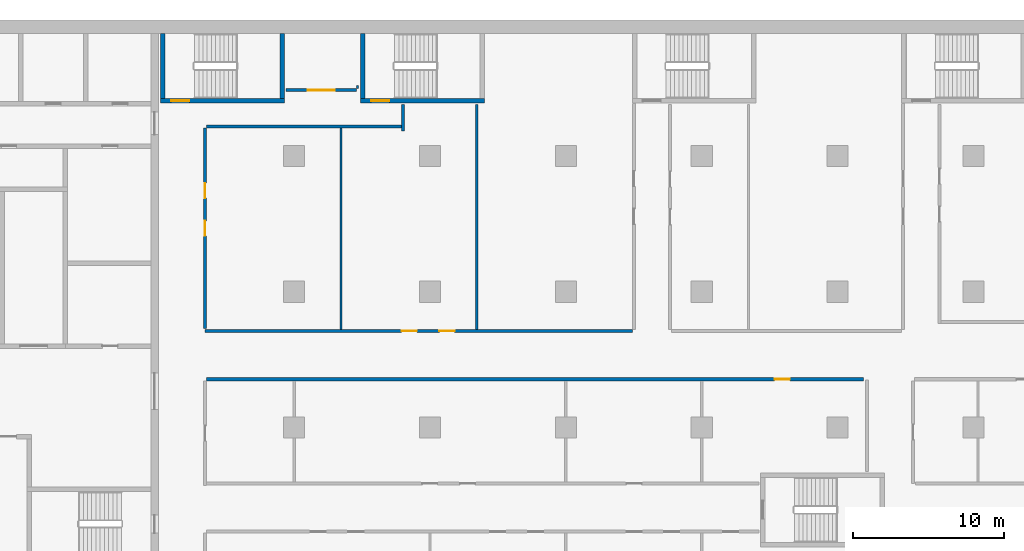
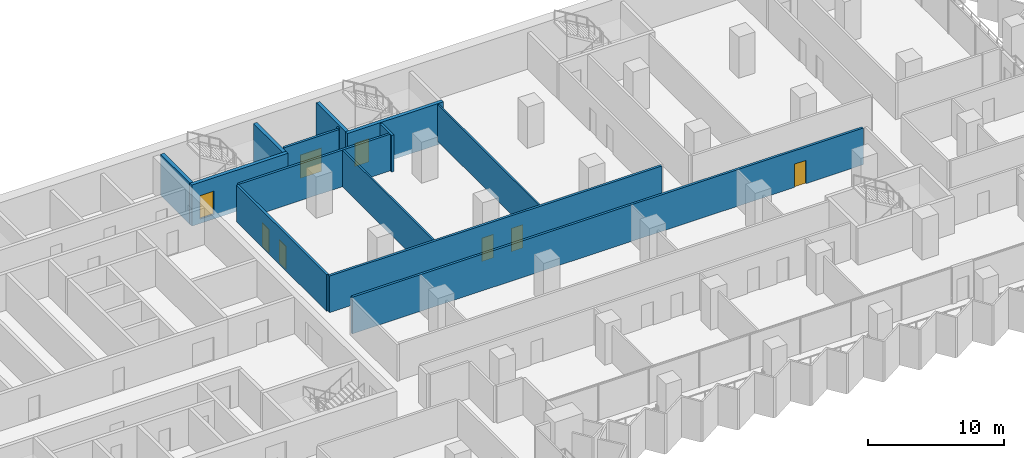
# One storey, part 16 of 28: 14 walls, 8 doors, 8 openings.
"""IFC4 building model written with IfcOpenShell, lengths in metres."""

from ifc_helpers import new_model, si_unit, direction, frame, frame_2d, origin, place, context, subcontext, project, spatial, rectangle, extrude, material, layer, layer_set, type_object, element, fill, save


model = new_model("IFC4")

# Units and contexts
model_context = context("Model", 3, precision=1e-05, world=origin(), true_north=direction((0.0, 1.0)))
body_context = subcontext(model_context, "Body", "Model", "MODEL_VIEW")
ifc_project = project(units=[si_unit("LENGTHUNIT", "METRE"), si_unit("AREAUNIT", "SQUARE_METRE"), si_unit("VOLUMEUNIT", "CUBIC_METRE"), si_unit("PLANEANGLEUNIT", "RADIAN"), si_unit("MASSUNIT", "GRAM", prefix="KILO")], contexts=[model_context])

# Site, building, storey
site_placement = place(None, origin())
site = spatial("IfcSite", under=ifc_project, at=site_placement, CompositionType="ELEMENT")
building_placement = place(site_placement, origin())
building = spatial("IfcBuilding", under=site, at=building_placement, Name="Hunhe Ridgeline Campus", CompositionType="ELEMENT")
storey_placement = place(building_placement, frame((0.0, 0.0, 72.800048828125)))
storey = spatial("IfcBuildingStorey", under=building, at=storey_placement, Name="L17", CompositionType="ELEMENT", Elevation=72.800048828125)

# Wall, opening, door
ifc_material_1 = material(Name="Gypsum board partition")
ifc_layer_1 = layer(ifc_material_1, 0.199951171875)
ifc_layer_set_1 = layer_set([ifc_layer_1], Name="Corridor partition 200 gypsum board on steel studs")
wall_type_1 = type_object("IfcWallType", Name="Corridor partition 200 gypsum board on steel studs", PredefinedType="PARTITIONING", material=ifc_layer_set_1)
wall_1_placement = place(storey_placement, frame((82.713134765625, 75.199951171875, 0.0), z_axis=(0.0, 0.0, 1.0), x_axis=(-1.0, 0.0, 0.0)))
wall_1 = element("IfcWall", 1, at=wall_1_placement, inside=storey, type_object=wall_type_1, Name="F-L17-wall-037", PredefinedType="PARTITIONING", context=body_context, shape_type="SweptSolid", body=[
    extrude(rectangle(XDim=43.51318359375, YDim=0.199951171875, at=frame_2d((21.756591796875, 0.0))), origin(), (0.0, 0.0, 1.0), 3.300048828125),
])
opening_1_placement = place(wall_1_placement, frame((4.876708984375, 0.0, 0.0)))
opening_1 = element("IfcOpeningElement", 2, at=opening_1_placement, cuts=wall_1, Name="Opening RD1-034", PredefinedType="OPENING", context=body_context, shape_type="SweptSolid", body=[
    extrude(rectangle(XDim=1.0, YDim=2.10009765625, at=frame_2d((0.5, 1.050048828125))), frame((0.0, 0.10009765625, 0.0), z_axis=(0.0, -1.0, 0.0), x_axis=(1.0, 0.0, 0.0)), (0.0, 0.0, 1.0), 0.199951171875),
])
ifc_material_2 = material(Name="Timber door leaf", Category="wood")
door_type_1 = type_object("IfcDoorType", Name="Single fire door 1000x2100 timber FD60", OperationType="NOTDEFINED", PredefinedType="DOOR", material=ifc_material_2)
door_1_placement = place(opening_1_placement, origin())
door_1 = element("IfcDoor", 3, at=door_1_placement, inside=storey, type_object=door_type_1, Name="F-L17-door-034", OperationType="SINGLE_SWING_LEFT", OverallHeight=2.10009765625, OverallWidth=1.0, PredefinedType="DOOR", context=body_context, shape_type="SweptSolid", body=[
    extrude(rectangle(XDim=1.0, YDim=2.10009765625, at=frame_2d((0.5, 1.050048828125))), frame((0.0, 0.02490234375, 0.0), z_axis=(0.0, -1.0, 0.0), x_axis=(1.0, 0.0, 0.0)), (0.0, 0.0, 1.0), 0.050048828125),
])
fill(opening_1, door_1)

# Wall, openings, doors
wall_2_placement = place(storey_placement, frame((39.10009765625, 78.39990234375, 0.0), z_axis=(0.0, 0.0, 1.0), x_axis=(1.0, 0.0, 0.0)))
wall_2 = element("IfcWall", 4, at=wall_2_placement, inside=storey, type_object=wall_type_1, Name="F-L17-wall-039", PredefinedType="PARTITIONING", context=body_context, shape_type="SweptSolid", body=[
    extrude(rectangle(XDim=28.2998046875, YDim=0.199951171875, at=frame_2d((14.14990234375, 0.0))), origin(), (0.0, 0.0, 1.0), 3.300048828125),
])
opening_2_placement = place(wall_2_placement, frame((13.02392578125, 0.0, 0.0)))
opening_2 = element("IfcOpeningElement", 5, at=opening_2_placement, cuts=wall_2, Name="Opening RD1-036", PredefinedType="OPENING", context=body_context, shape_type="SweptSolid", body=[
    extrude(rectangle(XDim=1.0, YDim=2.10009765625, at=frame_2d((0.5, 1.050048828125))), frame((0.0, 0.10009765625, 0.0), z_axis=(0.0, -1.0, 0.0), x_axis=(1.0, 0.0, 0.0)), (0.0, 0.0, 1.0), 0.199951171875),
])
opening_3_placement = place(wall_2_placement, frame((15.52392578125, 0.0, 0.0)))
opening_3 = element("IfcOpeningElement", 6, at=opening_3_placement, cuts=wall_2, Name="Opening RD1-037", PredefinedType="OPENING", context=body_context, shape_type="SweptSolid", body=[
    extrude(rectangle(XDim=1.0, YDim=2.10009765625, at=frame_2d((0.5, 1.050048828125))), frame((0.0, 0.10009765625, 0.0), z_axis=(0.0, -1.0, 0.0), x_axis=(1.0, 0.0, 0.0)), (0.0, 0.0, 1.0), 0.199951171875),
])
door_2_placement = place(opening_2_placement, frame((1.0, 0.0, 0.0), z_axis=(0.0, 0.0, 1.0), x_axis=(-1.0, 0.0, 0.0)))
door_2 = element("IfcDoor", 7, at=door_2_placement, inside=storey, type_object=door_type_1, Name="F-L17-door-036", OperationType="SINGLE_SWING_LEFT", OverallHeight=2.10009765625, OverallWidth=1.0, PredefinedType="DOOR", context=body_context, shape_type="SweptSolid", body=[
    extrude(rectangle(XDim=1.0, YDim=2.10009765625, at=frame_2d((0.5, 1.050048828125))), frame((0.0, 0.02490234375, 0.0), z_axis=(0.0, -1.0, 0.0), x_axis=(1.0, 0.0, 0.0)), (0.0, 0.0, 1.0), 0.050048828125),
])
fill(opening_2, door_2)
door_3_placement = place(opening_3_placement, frame((1.0, 0.0, 0.0), z_axis=(0.0, 0.0, 1.0), x_axis=(-1.0, 0.0, 0.0)))
door_3 = element("IfcDoor", 8, at=door_3_placement, inside=storey, type_object=door_type_1, Name="F-L17-door-037", OperationType="SINGLE_SWING_LEFT", OverallHeight=2.10009765625, OverallWidth=1.0, PredefinedType="DOOR", context=body_context, shape_type="SweptSolid", body=[
    extrude(rectangle(XDim=1.0, YDim=2.10009765625, at=frame_2d((0.5, 1.050048828125))), frame((0.0, 0.02490234375, 0.0), z_axis=(0.0, -1.0, 0.0), x_axis=(1.0, 0.0, 0.0)), (0.0, 0.0, 1.0), 0.050048828125),
])
fill(opening_3, door_3)

# Wall
wall_3_placement = place(storey_placement, frame((52.10009765625, 91.949951171875, 0.0), z_axis=(0.0, 0.0, 1.0), x_axis=(-1.0, 0.0, 0.0)))
element("IfcWall", 9, at=wall_3_placement, inside=storey, type_object=wall_type_1, Name="F-L17-wall-043", PredefinedType="PARTITIONING", context=body_context, shape_type="SweptSolid", body=[
    extrude(rectangle(XDim=12.900146484375, YDim=0.199951171875, at=frame_2d((6.4501953125, 0.0))), origin(), (0.0, 0.0, 1.0), 3.300048828125),
])

# Wall, opening, door
wall_4_placement = place(storey_placement, frame((44.4541015625, 94.35009765625, 0.0), z_axis=(0.0, 0.0, 1.0), x_axis=(1.0, 0.0, 0.0)))
wall_4 = element("IfcWall", 10, at=wall_4_placement, inside=storey, type_object=wall_type_1, Name="F-L17-wall-044", PredefinedType="PARTITIONING", context=body_context, shape_type="SweptSolid", body=[
    extrude(rectangle(XDim=4.6708984375, YDim=0.199951171875, at=frame_2d((2.33544921875, 0.0))), origin(), (0.0, 0.0, 1.0), 3.300048828125),
])
opening_4_placement = place(wall_4_placement, frame((1.435546875, 0.0, 0.0)))
opening_4 = element("IfcOpeningElement", 11, at=opening_4_placement, cuts=wall_4, Name="Opening RD2-048", PredefinedType="OPENING", context=body_context, shape_type="SweptSolid", body=[
    extrude(rectangle(XDim=1.800048828125, YDim=2.10009765625, at=frame_2d((0.89990234375, 1.050048828125))), frame((0.0, 0.10009765625, 0.0), z_axis=(0.0, -1.0, 0.0), x_axis=(1.0, 0.0, 0.0)), (0.0, 0.0, 1.0), 0.199951171875),
])
door_type_2 = type_object("IfcDoorType", Name="Double fire door 1800x2100 timber FD60", OperationType="DOUBLE_DOOR_SINGLE_SWING", PredefinedType="DOOR", material=ifc_material_2)
door_4_placement = place(opening_4_placement, origin())
door_4 = element("IfcDoor", 12, at=door_4_placement, inside=storey, type_object=door_type_2, Name="F-L17-door-048", OperationType="DOUBLE_DOOR_SINGLE_SWING", OverallHeight=2.10009765625, OverallWidth=1.800048828125, PredefinedType="DOOR", context=body_context, shape_type="SweptSolid", body=[
    extrude(rectangle(XDim=1.800048828125, YDim=2.10009765625, at=frame_2d((0.89990234375, 1.050048828125))), frame((0.0, 0.02490234375, 0.0), z_axis=(0.0, -1.0, 0.0), x_axis=(1.0, 0.0, 0.0)), (0.0, 0.0, 1.0), 0.050048828125),
])
fill(opening_4, door_4)

# Wall, openings, doors
wall_5_placement = place(storey_placement, frame((39.10009765625, 91.85009765625, 0.0), z_axis=(0.0, 0.0, 1.0), x_axis=(0.0, -1.0, 0.0)))
wall_5 = element("IfcWall", 13, at=wall_5_placement, inside=storey, type_object=wall_type_1, Name="F-L17-wall-062", PredefinedType="PARTITIONING", context=body_context, shape_type="SweptSolid", body=[
    extrude(rectangle(XDim=13.302001953125, YDim=0.199951171875, at=frame_2d((6.65087890625, 0.0))), origin(), (0.0, 0.0, 1.0), 3.300048828125),
])
opening_5_placement = place(wall_5_placement, frame((6.15087890625, 0.0, 0.0)))
opening_5 = element("IfcOpeningElement", 14, at=opening_5_placement, cuts=wall_5, Name="Opening RD1-038", PredefinedType="OPENING", context=body_context, shape_type="SweptSolid", body=[
    extrude(rectangle(XDim=1.0, YDim=2.10009765625, at=frame_2d((0.5, 1.050048828125))), frame((0.0, 0.10009765625, 0.0), z_axis=(0.0, -1.0, 0.0), x_axis=(1.0, 0.0, 0.0)), (0.0, 0.0, 1.0), 0.199951171875),
])
opening_6_placement = place(wall_5_placement, frame((3.65087890625, 0.0, 0.0)))
opening_6 = element("IfcOpeningElement", 15, at=opening_6_placement, cuts=wall_5, Name="Opening RD1-043", PredefinedType="OPENING", context=body_context, shape_type="SweptSolid", body=[
    extrude(rectangle(XDim=1.0, YDim=2.10009765625, at=frame_2d((0.5, 1.050048828125))), frame((0.0, 0.10009765625, 0.0), z_axis=(0.0, -1.0, 0.0), x_axis=(1.0, 0.0, 0.0)), (0.0, 0.0, 1.0), 0.199951171875),
])
door_5_placement = place(opening_5_placement, frame((1.0, 0.0, 0.0), z_axis=(0.0, 0.0, 1.0), x_axis=(-1.0, 0.0, 0.0)))
door_5 = element("IfcDoor", 16, at=door_5_placement, inside=storey, type_object=door_type_1, Name="F-L17-door-038", OperationType="SINGLE_SWING_RIGHT", OverallHeight=2.10009765625, OverallWidth=1.0, PredefinedType="DOOR", context=body_context, shape_type="SweptSolid", body=[
    extrude(rectangle(XDim=1.0, YDim=2.10009765625, at=frame_2d((0.5, 1.050048828125))), frame((0.0, 0.02490234375, 0.0), z_axis=(0.0, -1.0, 0.0), x_axis=(1.0, 0.0, 0.0)), (0.0, 0.0, 1.0), 0.050048828125),
])
fill(opening_5, door_5)
door_6_placement = place(opening_6_placement, frame((1.0, 0.0, 0.0), z_axis=(0.0, 0.0, 1.0), x_axis=(-1.0, 0.0, 0.0)))
door_6 = element("IfcDoor", 17, at=door_6_placement, inside=storey, type_object=door_type_1, Name="F-L17-door-043", OperationType="SINGLE_SWING_RIGHT", OverallHeight=2.10009765625, OverallWidth=1.0, PredefinedType="DOOR", context=body_context, shape_type="SweptSolid", body=[
    extrude(rectangle(XDim=1.0, YDim=2.10009765625, at=frame_2d((0.5, 1.050048828125))), frame((0.0, 0.02490234375, 0.0), z_axis=(0.0, -1.0, 0.0), x_axis=(1.0, 0.0, 0.0)), (0.0, 0.0, 1.0), 0.050048828125),
])
fill(opening_6, door_6)

# Walls
wall_6_placement = place(storey_placement, frame((52.199951171875, 93.39599609375, 0.0), z_axis=(0.0, 0.0, 1.0), x_axis=(0.0, -1.0, 0.0)))
element("IfcWall", 18, at=wall_6_placement, inside=storey, type_object=wall_type_1, Name="F-L17-wall-070", PredefinedType="PARTITIONING", context=body_context, shape_type="SweptSolid", body=[
    extrude(rectangle(XDim=1.74609375, YDim=0.199951171875, at=frame_2d((0.873046875, 0.0))), origin(), (0.0, 0.0, 1.0), 3.300048828125),
])
ifc_layer_2 = layer(ifc_material_1, 0.14990234375)
ifc_layer_set_2 = layer_set([ifc_layer_2], Name="Room partition 150 gypsum board on steel studs")
wall_type_2 = type_object("IfcWallType", Name="Room partition 150 gypsum board on steel studs", PredefinedType="PARTITIONING", material=ifc_layer_set_2)
wall_7_placement = place(storey_placement, frame((48.10009765625, 91.85009765625, 0.0), z_axis=(0.0, 0.0, 1.0), x_axis=(0.0, -1.0, 0.0)))
element("IfcWall", 19, at=wall_7_placement, inside=storey, type_object=wall_type_2, Name="F-L17-wall-068", PredefinedType="PARTITIONING", context=body_context, shape_type="SweptSolid", body=[
    extrude(rectangle(XDim=13.35009765625, YDim=0.14990234375, at=frame_2d((6.675048828125, 0.0))), origin(), (0.0, 0.0, 1.0), 3.300048828125),
])
wall_8_placement = place(storey_placement, frame((49.199951171875, 94.64990234375, 0.0), z_axis=(0.0, 0.0, 1.0), x_axis=(0.0, -1.0, 0.0)))
element("IfcWall", 20, at=wall_8_placement, inside=storey, type_object=wall_type_2, Name="F-L17-wall-069", PredefinedType="PARTITIONING", context=body_context, shape_type="SweptSolid", body=[
    extrude(rectangle(XDim=0.199951171875, YDim=0.14990234375, at=frame_2d((0.10009765625, 0.0))), origin(), (0.0, 0.0, 1.0), 3.300048828125),
])
wall_9_placement = place(storey_placement, frame((57.10009765625, 93.39599609375, 0.0), z_axis=(0.0, 0.0, 1.0), x_axis=(0.0, -1.0, 0.0)))
element("IfcWall", 21, at=wall_9_placement, inside=storey, type_object=wall_type_2, Name="F-L17-wall-073", PredefinedType="PARTITIONING", context=body_context, shape_type="SweptSolid", body=[
    extrude(rectangle(XDim=14.89599609375, YDim=0.14990234375, at=frame_2d((7.447998046875, 0.0))), origin(), (0.0, 0.0, 1.0), 3.300048828125),
])

# Wall, opening, door
ifc_material_3 = material(Name="Concrete C80", Category="concrete")
ifc_layer_3 = layer(ifc_material_3, 0.300048828125)
ifc_layer_set_3 = layer_set([ifc_layer_3], Name="Stair wall 300 reinforced concrete C80")
wall_type_3 = type_object("IfcWallType", Name="Stair wall 300 reinforced concrete C80", PredefinedType="SOLIDWALL", material=ifc_layer_set_3)
wall_10_placement = place(storey_placement, frame((36.14990234375, 93.64990234375, -0.400146484375), z_axis=(0.0, 0.0, 1.0), x_axis=(1.0, 0.0, 0.0)))
wall_10 = element("IfcWall", 22, at=wall_10_placement, inside=storey, type_object=wall_type_3, Name="L17 core wall 30", PredefinedType="SOLIDWALL", context=body_context, shape_type="SweptSolid", body=[
    extrude(rectangle(XDim=8.2001953125, YDim=0.300048828125, at=frame_2d((4.10009765625, 0.0))), origin(), (0.0, 0.0, 1.0), 3.7001953125),
])
opening_7_placement = place(wall_10_placement, frame((0.699951171875, 0.0, 0.39990234375)))
opening_7 = element("IfcOpeningElement", 23, at=opening_7_placement, cuts=wall_10, Name="Opening CD17", PredefinedType="OPENING", context=body_context, shape_type="SweptSolid", body=[
    extrude(rectangle(XDim=1.199951171875, YDim=2.10009765625, at=frame_2d((0.60009765625, 1.050048828125))), frame((0.0, 0.14990234375, 0.0), z_axis=(0.0, -1.0, 0.0), x_axis=(1.0, 0.0, 0.0)), (0.0, 0.0, 1.0), 0.300048828125),
])
ifc_material_4 = material(Name="Hollow metal fire door leaf")
door_type_3 = type_object("IfcDoorType", Name="Stair door 1200x2100 FD60", OperationType="SINGLE_SWING_LEFT", PredefinedType="DOOR", material=ifc_material_4)
door_7_placement = place(opening_7_placement, frame((1.199951171875, 0.0, 0.0), z_axis=(0.0, 0.0, 1.0), x_axis=(-1.0, 0.0, 0.0)))
door_7 = element("IfcDoor", 24, at=door_7_placement, inside=storey, type_object=door_type_3, Name="L17 door E1", OperationType="SINGLE_SWING_RIGHT", OverallHeight=2.10009765625, OverallWidth=1.199951171875, PredefinedType="DOOR", context=body_context, shape_type="SweptSolid", body=[
    extrude(rectangle(XDim=1.199951171875, YDim=2.10009765625, at=frame_2d((0.60009765625, 1.050048828125))), frame((0.0, 0.02490234375, 0.0), z_axis=(0.0, -1.0, 0.0), x_axis=(1.0, 0.0, 0.0)), (0.0, 0.0, 1.0), 0.050048828125),
])
fill(opening_7, door_7)

wall_11_placement = place(storey_placement, frame((49.39990234375, 93.64990234375, -0.400146484375), z_axis=(0.0, 0.0, 1.0), x_axis=(1.0, 0.0, 0.0)))
wall_11 = element("IfcWall", 25, at=wall_11_placement, inside=storey, type_object=wall_type_3, Name="L17 core wall 31", PredefinedType="SOLIDWALL", context=body_context, shape_type="SweptSolid", body=[
    extrude(rectangle(XDim=8.2001953125, YDim=0.300048828125, at=frame_2d((4.10009765625, 0.0))), origin(), (0.0, 0.0, 1.0), 3.7001953125),
])
opening_8_placement = place(wall_11_placement, frame((0.699951171875, 0.0, 0.39990234375)))
opening_8 = element("IfcOpeningElement", 26, at=opening_8_placement, cuts=wall_11, Name="Opening CD18", PredefinedType="OPENING", context=body_context, shape_type="SweptSolid", body=[
    extrude(rectangle(XDim=1.199951171875, YDim=2.10009765625, at=frame_2d((0.60009765625, 1.050048828125))), frame((0.0, 0.14990234375, 0.0), z_axis=(0.0, -1.0, 0.0), x_axis=(1.0, 0.0, 0.0)), (0.0, 0.0, 1.0), 0.300048828125),
])
door_8_placement = place(opening_8_placement, frame((1.199951171875, 0.0, 0.0), z_axis=(0.0, 0.0, 1.0), x_axis=(-1.0, 0.0, 0.0)))
door_8 = element("IfcDoor", 27, at=door_8_placement, inside=storey, type_object=door_type_3, Name="L17 door E2", OperationType="SINGLE_SWING_LEFT", OverallHeight=2.10009765625, OverallWidth=1.199951171875, PredefinedType="DOOR", context=body_context, shape_type="SweptSolid", body=[
    extrude(rectangle(XDim=1.199951171875, YDim=2.10009765625, at=frame_2d((0.60009765625, 1.050048828125))), frame((0.0, 0.02490234375, 0.0), z_axis=(0.0, -1.0, 0.0), x_axis=(1.0, 0.0, 0.0)), (0.0, 0.0, 1.0), 0.050048828125),
])
fill(opening_8, door_8)

# Walls
for number, where, z_axis, x_axis, name in (
    (28, (36.300048828125, 93.800048828125, -0.400146484375), (0.0, 0.0, 1.0), (0.0, 1.0, 0.0), "L17 core wall 65"),
    (29, (44.199951171875, 93.800048828125, -0.400146484375), (0.0, 0.0, 1.0), (0.0, 1.0, 0.0), "L17 core wall 66"),
    (30, (49.550048828125, 93.800048828125, -0.400146484375), (0.0, 0.0, 1.0), (0.0, 1.0, 0.0), "L17 core wall 67"),
):
    element("IfcWall", number, at=place(storey_placement, frame(where, z_axis=z_axis, x_axis=x_axis)), inside=storey, type_object=wall_type_3, Name=name, PredefinedType="SOLIDWALL", context=body_context, shape_type="SweptSolid", body=[
        extrude(rectangle(XDim=4.300048828125, YDim=0.300048828125, at=frame_2d((2.14990234375, 0.0))), origin(), (0.0, 0.0, 1.0), 3.7001953125),
    ])

save(model, "model.ifc")
